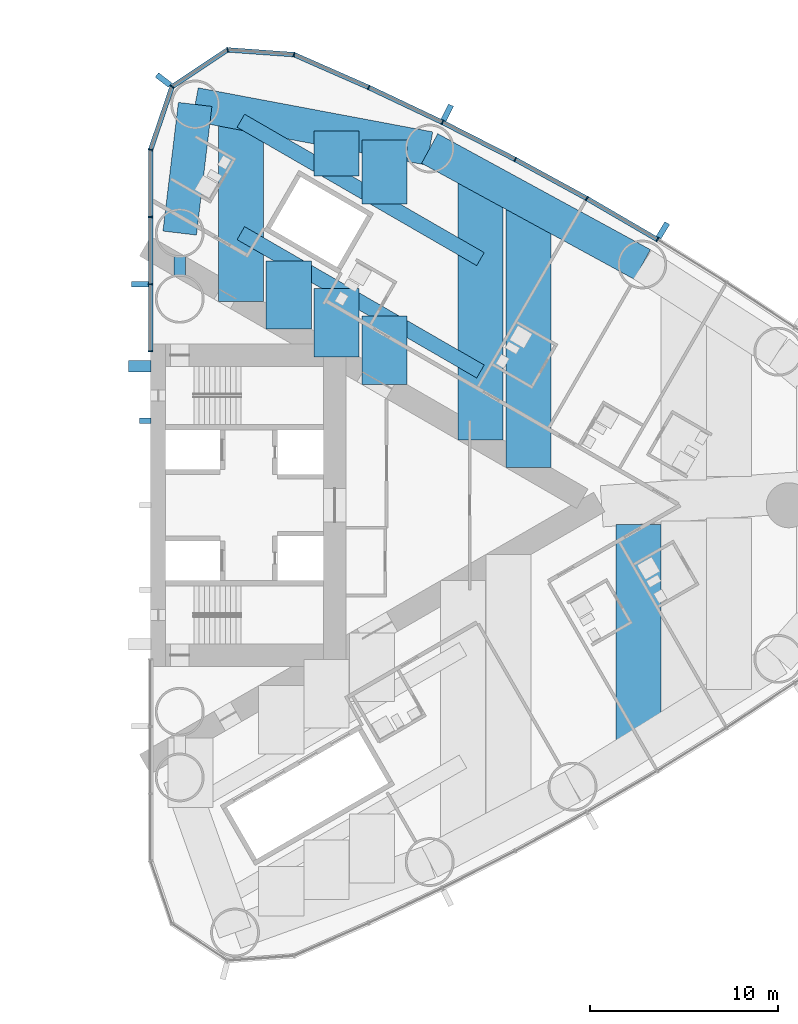
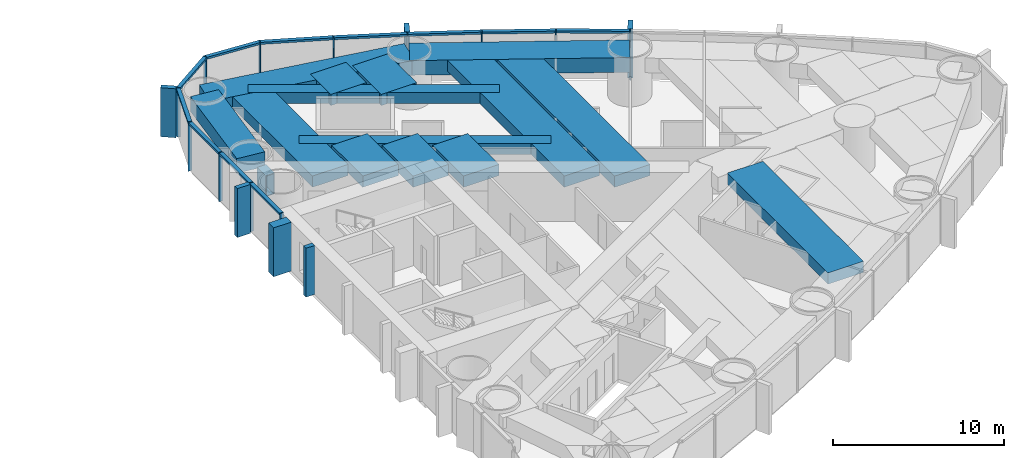
# One storey, part 7 of 18: 29 members, 15 beams, 1 element without a shape of its own.
"""IFC4 building model written with IfcOpenShell, lengths in metres."""

from ifc_helpers import new_model, si_unit, direction, frame, origin, origin_2d, place, context, subcontext, project, spatial, rectangle, hollow_rectangle, extrude, material, material_profile, profile_set, type_object, element, aggregate, save


model = new_model("IFC4")

# Units and contexts
model_context = context("Model", 3, precision=1e-05, world=origin(), true_north=direction((0.0, 1.0)))
body_context = subcontext(model_context, "Body", "Model", "MODEL_VIEW")
ifc_project = project(units=[si_unit("LENGTHUNIT", "METRE"), si_unit("AREAUNIT", "SQUARE_METRE"), si_unit("VOLUMEUNIT", "CUBIC_METRE"), si_unit("PLANEANGLEUNIT", "RADIAN"), si_unit("MASSUNIT", "GRAM", prefix="KILO")], contexts=[model_context])

# Site, building, storey
site_placement = place(None, origin())
site = spatial("IfcSite", under=ifc_project, at=site_placement, CompositionType="ELEMENT")
building_placement = place(site_placement, origin())
building = spatial("IfcBuilding", under=site, at=building_placement, Name="Lancet Gate Hotel", CompositionType="ELEMENT")
storey_placement = place(building_placement, frame((0.0, 0.0, 101.10009765625)))
storey = spatial("IfcBuildingStorey", under=building, at=storey_placement, Name="L26", CompositionType="ELEMENT", Elevation=101.10009765625)

# Curtain wall, members
ifc_material_1 = material(Name="Aluminium curtain wall", Category="aluminium")
curtain_wall_type = type_object("IfcCurtainWallType", Name="Tower unitised curtain wall", PredefinedType="USERDEFINED", material=ifc_material_1)
curtain_wall_placement = place(storey_placement, origin())
curtain_wall = element("IfcCurtainWall", 1, at=curtain_wall_placement, inside=storey, type_object=curtain_wall_type, Name="T2 L26 curtain wall 1", ObjectType="UNITISED CURTAIN WALL", PredefinedType="USERDEFINED")
ifc_material_2 = material(Name="Aluminium mullion", Category="aluminium")
ifc_material_profile_1 = material_profile(ifc_material_2, rectangle(XDim=0.06494140625, YDim=0.25, at=origin_2d()), Name="MULLION 65x250")
ifc_profile_set_1 = profile_set([ifc_material_profile_1], Name="Aluminium mullion")
member_type_1 = type_object("IfcMemberType", Name="Aluminium mullion 65x250", PredefinedType="MULLION", material=ifc_profile_set_1)
member_1_placement = place(storey_placement, frame((54.496337890625, 14.1552734375, 0.0), z_axis=(0.0, 0.0, 1.0), x_axis=(-0.856728030701, 0.515768437781, 0.0)))
member_1 = element("IfcMember", 2, at=member_1_placement, type_object=member_type_1, Name="T2 L26 curtain wall 1 mullion 23", PredefinedType="MULLION", context=body_context, shape_type="SweptSolid", body=[
    extrude(rectangle(XDim=0.06494140625, YDim=0.25, at=origin_2d()), origin(), (0.0, 0.0, 1.0), 3.5),
])
member_2_placement = place(storey_placement, frame((50.740478515625, 16.344482421875, 0.0), z_axis=(0.0, 0.0, 1.0), x_axis=(-0.871028838445, 0.491231882716, 0.0)))
member_2 = element("IfcMember", 3, at=member_2_placement, type_object=member_type_1, Name="T2 L26 curtain wall 1 mullion 24", PredefinedType="MULLION", context=body_context, shape_type="SweptSolid", body=[
    extrude(rectangle(XDim=0.06494140625, YDim=0.25, at=origin_2d()), origin(), (0.0, 0.0, 1.0), 3.5),
])
member_3_placement = place(storey_placement, frame((46.923828125, 18.426025390625, 0.0), z_axis=(0.0, 0.0, 1.0), x_axis=(-0.884627112962, 0.466299121822, 0.0)))
member_3 = element("IfcMember", 4, at=member_3_placement, type_object=member_type_1, Name="T2 L26 curtain wall 1 mullion 25", PredefinedType="MULLION", context=body_context, shape_type="SweptSolid", body=[
    extrude(rectangle(XDim=0.06494140625, YDim=0.25, at=origin_2d()), origin(), (0.0, 0.0, 1.0), 3.5),
])
member_4_placement = place(storey_placement, frame((43.0498046875, 20.398193359375, 0.0), z_axis=(0.0, 0.0, 1.0), x_axis=(-0.897511886496, 0.440990264743, 0.0)))
member_4 = element("IfcMember", 5, at=member_4_placement, type_object=member_type_1, Name="T2 L26 curtain wall 1 mullion 26", PredefinedType="MULLION", context=body_context, shape_type="SweptSolid", body=[
    extrude(rectangle(XDim=0.06494140625, YDim=0.25, at=origin_2d()), origin(), (0.0, 0.0, 1.0), 3.5),
])
member_5_placement = place(storey_placement, frame((39.12109375, 22.259765625, 0.0), z_axis=(0.0, 0.0, 1.0), x_axis=(-0.909672766767, 0.415325724465, 0.0)))
member_5 = element("IfcMember", 6, at=member_5_placement, type_object=member_type_1, Name="T2 L26 curtain wall 1 mullion 27", PredefinedType="MULLION", context=body_context, shape_type="SweptSolid", body=[
    extrude(rectangle(XDim=0.06494140625, YDim=0.25, at=origin_2d()), origin(), (0.0, 0.0, 1.0), 3.5),
])
member_6_placement = place(storey_placement, frame((35.141357421875, 24.009033203125, 0.0), z_axis=(0.0, 0.0, 1.0), x_axis=(-0.966317378791, 0.257353304711, 0.0)))
member_6 = element("IfcMember", 7, at=member_6_placement, type_object=member_type_1, Name="T2 L26 curtain wall 1 mullion 28", PredefinedType="MULLION", context=body_context, shape_type="SweptSolid", body=[
    extrude(rectangle(XDim=0.06494140625, YDim=0.25, at=origin_2d()), origin(), (0.0, 0.0, 1.0), 3.5),
])
member_7_placement = place(storey_placement, frame((31.60205078125, 24.26220703125, 0.0), z_axis=(0.0, 0.0, 1.0), x_axis=(-0.967157174963, -0.254179068604, 0.0)))
member_7 = element("IfcMember", 8, at=member_7_placement, type_object=member_type_1, Name="T2 L26 curtain wall 1 mullion 29", PredefinedType="MULLION", context=body_context, shape_type="SweptSolid", body=[
    extrude(rectangle(XDim=0.06494140625, YDim=0.25, at=origin_2d()), origin(), (0.0, 0.0, 1.0), 3.5),
])
member_8_placement = place(storey_placement, frame((28.64453125, 22.301513671875, 0.0), z_axis=(0.0, 0.0, 1.0), x_axis=(-0.610663954798, -0.79188984986, 0.0)))
member_8 = element("IfcMember", 9, at=member_8_placement, type_object=member_type_1, Name="T2 L26 curtain wall 1 mullion 30", PredefinedType="MULLION", context=body_context, shape_type="SweptSolid", body=[
    extrude(rectangle(XDim=0.06494140625, YDim=0.25, at=origin_2d()), origin(), (0.0, 0.0, 1.0), 3.5),
])
member_9_placement = place(storey_placement, frame((27.5, 18.94287109375, 0.0), z_axis=(0.0, 0.0, 1.0), x_axis=(-0.162738742557, -0.986669195663, 0.0)))
member_9 = element("IfcMember", 10, at=member_9_placement, type_object=member_type_1, Name="T2 L26 curtain wall 1 mullion 31", PredefinedType="MULLION", context=body_context, shape_type="SweptSolid", body=[
    extrude(rectangle(XDim=0.06494140625, YDim=0.25, at=origin_2d()), origin(), (0.0, 0.0, 1.0), 3.5),
])
member_10_placement = place(storey_placement, frame((27.5, 15.362060546875, 0.0), z_axis=(0.0, 0.0, 1.0), x_axis=(0.0, -1.0, 0.0)))
member_10 = element("IfcMember", 11, at=member_10_placement, type_object=member_type_1, Name="T2 L26 curtain wall 1 mullion 32", PredefinedType="MULLION", context=body_context, shape_type="SweptSolid", body=[
    extrude(rectangle(XDim=0.06494140625, YDim=0.25, at=origin_2d()), origin(), (0.0, 0.0, 1.0), 3.5),
])
member_11_placement = place(storey_placement, frame((27.5, 11.781005859375, 0.0), z_axis=(0.0, 0.0, 1.0), x_axis=(0.0, -1.0, 0.0)))
member_11 = element("IfcMember", 12, at=member_11_placement, type_object=member_type_1, Name="T2 L26 curtain wall 1 mullion 33", PredefinedType="MULLION", context=body_context, shape_type="SweptSolid", body=[
    extrude(rectangle(XDim=0.06494140625, YDim=0.25, at=origin_2d()), origin(), (0.0, 0.0, 1.0), 3.5),
])
member_12_placement = place(storey_placement, frame((27.5, 8.199951171875, 0.0), z_axis=(0.0, 0.0, 1.0), x_axis=(0.0, -1.0, 0.0)))
member_12 = element("IfcMember", 13, at=member_12_placement, type_object=member_type_1, Name="T2 L26 curtain wall 1 mullion 34", PredefinedType="MULLION", context=body_context, shape_type="SweptSolid", body=[
    extrude(rectangle(XDim=0.06494140625, YDim=0.25, at=origin_2d()), origin(), (0.0, 0.0, 1.0), 3.5),
])
ifc_material_3 = material(Name="Aluminium transom", Category="aluminium")
ifc_material_profile_2 = material_profile(ifc_material_3, rectangle(XDim=0.25, YDim=0.14990234375, at=origin_2d()), Name="TRANSOM 250x150")
ifc_profile_set_2 = profile_set([ifc_material_profile_2], Name="Aluminium transom")
member_type_2 = type_object("IfcMemberType", Name="Aluminium transom 250x150", PredefinedType="USERDEFINED", material=ifc_profile_set_2)
member_13_placement = place(storey_placement, frame((54.46826171875, 14.171630859375, 3.4248046875), z_axis=(-0.863973212152, 0.503537772847, 0.0), x_axis=(-0.503537772847, -0.863973212152, 0.0)))
member_13 = element("IfcMember", 14, at=member_13_placement, type_object=member_type_2, Name="T2 L26 curtain wall 1 transom 23", ObjectType="TRANSOM", PredefinedType="USERDEFINED", context=body_context, shape_type="SweptSolid", body=[
    extrude(rectangle(XDim=0.25, YDim=0.14990234375, at=origin_2d()), origin(), (0.0, 0.0, 1.0), 4.2822265625),
])
member_14_placement = place(storey_placement, frame((50.7119140625, 16.35986328125, 3.4248046875), z_axis=(-0.877906466435, 0.478832158685, 0.0), x_axis=(-0.478832158685, -0.877906466435, 0.0)))
member_14 = element("IfcMember", 15, at=member_14_placement, type_object=member_type_2, Name="T2 L26 curtain wall 1 transom 24", ObjectType="TRANSOM", PredefinedType="USERDEFINED", context=body_context, shape_type="SweptSolid", body=[
    extrude(rectangle(XDim=0.25, YDim=0.14990234375, at=origin_2d()), origin(), (0.0, 0.0, 1.0), 4.282470703125),
])
member_15_placement = place(storey_placement, frame((46.89501953125, 18.440673828125, 3.4248046875), z_axis=(-0.891165630033, 0.453678101574, 0.0), x_axis=(-0.453678101574, -0.891165630033, 0.0)))
member_15 = element("IfcMember", 16, at=member_15_placement, type_object=member_type_2, Name="T2 L26 curtain wall 1 transom 25", ObjectType="TRANSOM", PredefinedType="USERDEFINED", context=body_context, shape_type="SweptSolid", body=[
    extrude(rectangle(XDim=0.25, YDim=0.14990234375, at=origin_2d()), origin(), (0.0, 0.0, 1.0), 4.282470703125),
])
member_16_placement = place(storey_placement, frame((43.0205078125, 20.412109375, 3.4248046875), z_axis=(-0.903679787814, 0.428208875546, 0.0), x_axis=(-0.428208875546, -0.903679787814, 0.0)))
member_16 = element("IfcMember", 17, at=member_16_placement, type_object=member_type_2, Name="T2 L26 curtain wall 1 transom 26", ObjectType="TRANSOM", PredefinedType="USERDEFINED", context=body_context, shape_type="SweptSolid", body=[
    extrude(rectangle(XDim=0.25, YDim=0.14990234375, at=origin_2d()), origin(), (0.0, 0.0, 1.0), 4.282470703125),
])
member_17_placement = place(storey_placement, frame((39.09130859375, 22.27294921875, 3.4248046875), z_axis=(-0.915484772266, 0.402352621155, 0.0), x_axis=(-0.402352621155, -0.915484772266, 0.0)))
member_17 = element("IfcMember", 18, at=member_17_placement, type_object=member_type_2, Name="T2 L26 curtain wall 1 transom 27", ObjectType="TRANSOM", PredefinedType="USERDEFINED", context=body_context, shape_type="SweptSolid", body=[
    extrude(rectangle(XDim=0.25, YDim=0.14990234375, at=origin_2d()), origin(), (0.0, 0.0, 1.0), 4.281982421875),
])
member_18_placement = place(storey_placement, frame((35.10888671875, 24.01123046875, 3.4248046875), z_axis=(-0.997446232115, 0.071421383636, 0.0), x_axis=(-0.071421383636, -0.997446232115, 0.0)))
member_18 = element("IfcMember", 19, at=member_18_placement, type_object=member_type_2, Name="T2 L26 curtain wall 1 transom 28", ObjectType="TRANSOM", PredefinedType="USERDEFINED", context=body_context, shape_type="SweptSolid", body=[
    extrude(rectangle(XDim=0.25, YDim=0.14990234375, at=origin_2d()), origin(), (0.0, 0.0, 1.0), 3.483154296875),
])
member_19_placement = place(storey_placement, frame((31.574951171875, 24.244384765625, 3.4248046875), z_axis=(-0.833470854141, -0.552563421968, 0.0), x_axis=(0.552563421968, -0.833470854141, 0.0)))
member_19 = element("IfcMember", 20, at=member_19_placement, type_object=member_type_2, Name="T2 L26 curtain wall 1 transom 29", ObjectType="TRANSOM", PredefinedType="USERDEFINED", context=body_context, shape_type="SweptSolid", body=[
    extrude(rectangle(XDim=0.25, YDim=0.14990234375, at=origin_2d()), origin(), (0.0, 0.0, 1.0), 3.4833984375),
])
member_20_placement = place(storey_placement, frame((28.634033203125, 22.270751953125, 3.4248046875), z_axis=(-0.322549769135, -0.946552505903, 0.0), x_axis=(0.946552505903, -0.322549769135, 0.0)))
member_20 = element("IfcMember", 21, at=member_20_placement, type_object=member_type_2, Name="T2 L26 curtain wall 1 transom 30", ObjectType="TRANSOM", PredefinedType="USERDEFINED", context=body_context, shape_type="SweptSolid", body=[
    extrude(rectangle(XDim=0.25, YDim=0.14990234375, at=origin_2d()), origin(), (0.0, 0.0, 1.0), 3.4833984375),
])
member_21_placement = place(storey_placement, frame((27.5, 18.910400390625, 3.4248046875), z_axis=(0.0, -1.0, 0.0), x_axis=(1.0, 0.0, 0.0)))
member_21 = element("IfcMember", 22, at=member_21_placement, type_object=member_type_2, Name="T2 L26 curtain wall 1 transom 31", ObjectType="TRANSOM", PredefinedType="USERDEFINED", context=body_context, shape_type="SweptSolid", body=[
    extrude(rectangle(XDim=0.25, YDim=0.14990234375, at=origin_2d()), origin(), (0.0, 0.0, 1.0), 3.515869140625),
])
member_22_placement = place(storey_placement, frame((27.5, 15.329345703125, 3.4248046875), z_axis=(0.0, -1.0, 0.0), x_axis=(1.0, 0.0, 0.0)))
member_22 = element("IfcMember", 23, at=member_22_placement, type_object=member_type_2, Name="T2 L26 curtain wall 1 transom 32", ObjectType="TRANSOM", PredefinedType="USERDEFINED", context=body_context, shape_type="SweptSolid", body=[
    extrude(rectangle(XDim=0.25, YDim=0.14990234375, at=origin_2d()), origin(), (0.0, 0.0, 1.0), 3.515869140625),
])
member_23_placement = place(storey_placement, frame((27.5, 11.74853515625, 3.4248046875), z_axis=(0.0, -1.0, 0.0), x_axis=(1.0, 0.0, 0.0)))
member_23 = element("IfcMember", 24, at=member_23_placement, type_object=member_type_2, Name="T2 L26 curtain wall 1 transom 33", ObjectType="TRANSOM", PredefinedType="USERDEFINED", context=body_context, shape_type="SweptSolid", body=[
    extrude(rectangle(XDim=0.25, YDim=0.14990234375, at=origin_2d()), origin(), (0.0, 0.0, 1.0), 3.51611328125),
])

# Beams
ifc_material_4 = material(Name="Concrete C50/60", Category="concrete")
ifc_material_profile_3 = material_profile(ifc_material_4, rectangle(XDim=1.800048828125, YDim=1.050048828125, at=origin_2d()), Name="RC 1800x1050")
ifc_profile_set_3 = profile_set([ifc_material_profile_3], Name="Concrete C50/60")
beam_type_1 = type_object("IfcBeamType", Name="Edge beam RC 1800x1050", PredefinedType="SPANDREL", material=ifc_profile_set_3)
beam_1_placement = place(storey_placement, frame((53.697021484375, 12.827392578125, 2.724853515625), z_axis=(-0.87792015078, 0.478807068509, 0.0), x_axis=(-0.478807068509, -0.87792015078, 0.0)))
element("IfcBeam", 25, at=beam_1_placement, inside=storey, type_object=beam_type_1, Name="T2 edge beam EB1 L26", PredefinedType="SPANDREL", context=body_context, shape_type="SweptSolid", body=[
    extrude(rectangle(XDim=1.800048828125, YDim=1.050048828125, at=origin_2d()), origin(), (0.0, 0.0, 1.0), 12.906494140625),
])
beam_2_placement = place(storey_placement, frame((42.3662109375, 19.007080078125, 2.724853515625), z_axis=(-0.982797318081, 0.184687388776, 0.0), x_axis=(-0.184687388776, -0.982797318081, 0.0)))
element("IfcBeam", 26, at=beam_2_placement, inside=storey, type_object=beam_type_1, Name="T2 edge beam EB1 L26", PredefinedType="SPANDREL", context=body_context, shape_type="SweptSolid", body=[
    extrude(rectangle(XDim=1.800048828125, YDim=1.050048828125, at=origin_2d()), origin(), (0.0, 0.0, 1.0), 12.712890625),
])
beam_3_placement = place(storey_placement, frame((29.050048828125, 14.5, 2.724853515625), z_axis=(0.119062951196, 0.99288670736, 0.0), x_axis=(-0.99288670736, 0.119062951196, 0.0)))
element("IfcBeam", 27, at=beam_3_placement, inside=storey, type_object=beam_type_1, Name="T2 edge beam EB1 L26", PredefinedType="SPANDREL", context=body_context, shape_type="SweptSolid", body=[
    extrude(rectangle(XDim=1.800048828125, YDim=1.050048828125, at=origin_2d()), origin(), (0.0, 0.0, 1.0), 6.904052734375),
])

# Member
ifc_material_5 = material(Name="Concrete C60/75", Category="concrete")
ifc_material_profile_4 = material_profile(ifc_material_5, rectangle(XDim=0.60009765625, YDim=1.199951171875, at=origin_2d()), Name="FIN 600x1200")
ifc_profile_set_4 = profile_set([ifc_material_profile_4], Name="Concrete C60/75")
member_type_3 = type_object("IfcMemberType", Name="Exposed concrete buttress pilaster 600x1200", PredefinedType="USERDEFINED", material=ifc_profile_set_4)
member_24_placement = place(storey_placement, frame((26.909912109375, 7.39990234375, 0.0), z_axis=(0.0, 0.0, 1.0), x_axis=(0.0, 1.0, 0.0)))
element("IfcMember", 28, at=member_24_placement, inside=storey, type_object=member_type_3, Name="T2 buttress pilaster N L26", ObjectType="FIN", PredefinedType="USERDEFINED", context=body_context, shape_type="SweptSolid", body=[
    extrude(rectangle(XDim=0.60009765625, YDim=1.199951171875, at=origin_2d()), origin(), (0.0, 0.0, 1.0), 3.5),
])

ifc_material_6 = material(Name="Precast concrete C50/60", Category="concrete")
ifc_material_profile_5 = material_profile(ifc_material_6, rectangle(XDim=0.300048828125, YDim=0.89990234375, at=origin_2d()), Name="FIN 300x900")
ifc_profile_set_5 = profile_set([ifc_material_profile_5], Name="Precast concrete C50/60")
member_type_4 = type_object("IfcMemberType", Name="Exposed concrete fin 300x900", PredefinedType="USERDEFINED", material=ifc_profile_set_5)
member_25_placement = place(storey_placement, frame((54.79296875, 14.64794921875, 0.0), z_axis=(0.0, 0.0, 1.0), x_axis=(-0.856728030701, 0.515768437781, 0.0)))
member_25 = element("IfcMember", 29, at=member_25_placement, type_object=member_type_4, Name="T2 L26 curtain wall 1 fin 23", ObjectType="FIN", PredefinedType="USERDEFINED", context=body_context, shape_type="SweptSolid", body=[
    extrude(rectangle(XDim=0.300048828125, YDim=0.89990234375, at=origin_2d()), origin(), (0.0, 0.0, 1.0), 3.5),
])

member_26_placement = place(storey_placement, frame((43.30322265625, 20.914306640625, 0.0), z_axis=(0.0, 0.0, 1.0), x_axis=(-0.897511886496, 0.440990264743, 0.0)))
member_26 = element("IfcMember", 30, at=member_26_placement, type_object=member_type_4, Name="T2 L26 curtain wall 1 fin 26", ObjectType="FIN", PredefinedType="USERDEFINED", context=body_context, shape_type="SweptSolid", body=[
    extrude(rectangle(XDim=0.300048828125, YDim=0.89990234375, at=origin_2d()), origin(), (0.0, 0.0, 1.0), 3.5),
])

member_27_placement = place(storey_placement, frame((28.189208984375, 22.65283203125, 0.0), z_axis=(0.0, 0.0, 1.0), x_axis=(-0.610663954798, -0.79188984986, 0.0)))
member_27 = element("IfcMember", 31, at=member_27_placement, type_object=member_type_4, Name="T2 L26 curtain wall 1 fin 30", ObjectType="FIN", PredefinedType="USERDEFINED", context=body_context, shape_type="SweptSolid", body=[
    extrude(rectangle(XDim=0.300048828125, YDim=0.89990234375, at=origin_2d()), origin(), (0.0, 0.0, 1.0), 3.5),
])

member_28_placement = place(storey_placement, frame((26.925048828125, 11.781005859375, 0.0), z_axis=(0.0, 0.0, 1.0), x_axis=(0.0, -1.0, 0.0)))
member_28 = element("IfcMember", 32, at=member_28_placement, type_object=member_type_4, Name="T2 L26 curtain wall 1 fin 33", ObjectType="FIN", PredefinedType="USERDEFINED", context=body_context, shape_type="SweptSolid", body=[
    extrude(rectangle(XDim=0.300048828125, YDim=0.89990234375, at=origin_2d()), origin(), (0.0, 0.0, 1.0), 3.5),
])

aggregate(curtain_wall, [member_1, member_25, member_2, member_3, member_4, member_26, member_5, member_6, member_7, member_8, member_27, member_9, member_10, member_11, member_28, member_12, member_13, member_14, member_15, member_16, member_17, member_18, member_19, member_20, member_21, member_22, member_23])

ifc_material_7 = material(Name="Concrete C60/75", Category="concrete")
ifc_material_profile_6 = material_profile(ifc_material_7, rectangle(XDim=0.300048828125, YDim=0.60009765625, at=origin_2d()), Name="FIN 300x600")
ifc_profile_set_6 = profile_set([ifc_material_profile_6], Name="Concrete C60/75")
member_type_5 = type_object("IfcMemberType", Name="Exposed concrete rib 300x600", PredefinedType="USERDEFINED", material=ifc_profile_set_6)
member_29_placement = place(storey_placement, frame((27.2099609375, 4.5, 0.0), z_axis=(0.0, 0.0, 1.0), x_axis=(0.0, 1.0, 0.0)))
element("IfcMember", 33, at=member_29_placement, inside=storey, type_object=member_type_5, Name="T2 core rib 3 L26", ObjectType="FIN", PredefinedType="USERDEFINED", context=body_context, shape_type="SweptSolid", body=[
    extrude(rectangle(XDim=0.300048828125, YDim=0.60009765625, at=origin_2d()), origin(), (0.0, 0.0, 1.0), 3.5),
])

# Beams
ifc_material_8 = material(Name="Concrete C50/60", Category="concrete")
ifc_material_profile_7 = material_profile(ifc_material_8, rectangle(XDim=2.39990234375, YDim=0.800048828125, at=origin_2d()), Name="RC 2400x800")
ifc_profile_set_7 = profile_set([ifc_material_profile_7], Name="Concrete C50/60")
beam_type_2 = type_object("IfcBeamType", Name="Floor beam RC 2400x800", PredefinedType="BEAM", material=ifc_profile_set_7)
beam_4_placement = place(storey_placement, frame((32.306396484375, 10.851806640625, 2.849853515625), z_axis=(0.0, 1.0, 0.0), x_axis=(-1.0, 0.0, 0.0)))
element("IfcBeam", 34, at=beam_4_placement, inside=storey, type_object=beam_type_2, Name="T2 floor beam F02N L26", PredefinedType="BEAM", context=body_context, shape_type="SweptSolid", body=[
    extrude(rectangle(XDim=2.39990234375, YDim=0.800048828125, at=origin_2d()), origin(), (0.0, 0.0, 1.0), 10.0458984375),
])
beam_5_placement = place(storey_placement, frame((45.072265625, 3.4814453125, 2.849853515625), z_axis=(0.0, 1.0, 0.0), x_axis=(-1.0, 0.0, 0.0)))
element("IfcBeam", 35, at=beam_5_placement, inside=storey, type_object=beam_type_2, Name="T2 floor beam F10N L26", PredefinedType="BEAM", context=body_context, shape_type="SweptSolid", body=[
    extrude(rectangle(XDim=2.39990234375, YDim=0.800048828125, at=origin_2d()), origin(), (0.0, 0.0, 1.0), 14.0498046875),
])
beam_6_placement = place(storey_placement, frame((47.62548828125, 2.00732421875, 2.849853515625), z_axis=(0.0, 1.0, 0.0), x_axis=(-1.0, 0.0, 0.0)))
element("IfcBeam", 36, at=beam_6_placement, inside=storey, type_object=beam_type_2, Name="T2 floor beam F12N L26", PredefinedType="BEAM", context=body_context, shape_type="SweptSolid", body=[
    extrude(rectangle(XDim=2.39990234375, YDim=0.800048828125, at=origin_2d()), origin(), (0.0, 0.0, 1.0), 14.13134765625),
])
beam_7_placement = place(storey_placement, frame((53.502197265625, -12.804443359375, 2.849853515625), z_axis=(0.0, 1.0, 0.0), x_axis=(-1.0, 0.0, 0.0)))
element("IfcBeam", 37, at=beam_7_placement, inside=storey, type_object=beam_type_2, Name="T2 floor beam F13S L26", PredefinedType="BEAM", context=body_context, shape_type="SweptSolid", body=[
    extrude(rectangle(XDim=2.39990234375, YDim=0.800048828125, at=origin_2d()), origin(), (0.0, 0.0, 1.0), 11.78564453125),
])
beam_8_placement = place(storey_placement, frame((34.859619140625, 9.377685546875, 2.849853515625), z_axis=(0.0, 1.0, 0.0), x_axis=(-1.0, 0.0, 0.0)))
element("IfcBeam", 38, at=beam_8_placement, inside=storey, type_object=beam_type_2, Name="T2 floor beam F04NA L26", PredefinedType="BEAM", context=body_context, shape_type="SweptSolid", body=[
    extrude(rectangle(XDim=2.39990234375, YDim=0.800048828125, at=origin_2d()), origin(), (0.0, 0.0, 1.0), 3.645751953125),
])
beam_9_placement = place(storey_placement, frame((37.412841796875, 7.903564453125, 2.849853515625), z_axis=(0.0, 1.0, 0.0), x_axis=(-1.0, 0.0, 0.0)))
element("IfcBeam", 39, at=beam_9_placement, inside=storey, type_object=beam_type_2, Name="T2 floor beam F06NA L26", PredefinedType="BEAM", context=body_context, shape_type="SweptSolid", body=[
    extrude(rectangle(XDim=2.39990234375, YDim=0.800048828125, at=origin_2d()), origin(), (0.0, 0.0, 1.0), 3.6455078125),
])
beam_10_placement = place(storey_placement, frame((37.412841796875, 17.537109375, 2.849853515625), z_axis=(0.0, 1.0, 0.0), x_axis=(-1.0, 0.0, 0.0)))
element("IfcBeam", 40, at=beam_10_placement, inside=storey, type_object=beam_type_2, Name="T2 floor beam F06NB L26", PredefinedType="BEAM", context=body_context, shape_type="SweptSolid", body=[
    extrude(rectangle(XDim=2.39990234375, YDim=0.800048828125, at=origin_2d()), origin(), (0.0, 0.0, 1.0), 2.40087890625),
])
beam_11_placement = place(storey_placement, frame((39.9658203125, 6.429443359375, 2.849853515625), z_axis=(0.0, 1.0, 0.0), x_axis=(-1.0, 0.0, 0.0)))
element("IfcBeam", 41, at=beam_11_placement, inside=storey, type_object=beam_type_2, Name="T2 floor beam F08NA L26", PredefinedType="BEAM", context=body_context, shape_type="SweptSolid", body=[
    extrude(rectangle(XDim=2.39990234375, YDim=0.800048828125, at=origin_2d()), origin(), (0.0, 0.0, 1.0), 3.64501953125),
])
beam_12_placement = place(storey_placement, frame((39.9658203125, 16.062744140625, 2.849853515625), z_axis=(0.0, 1.0, 0.0), x_axis=(-1.0, 0.0, 0.0)))
element("IfcBeam", 42, at=beam_12_placement, inside=storey, type_object=beam_type_2, Name="T2 floor beam F08NB L26", PredefinedType="BEAM", context=body_context, shape_type="SweptSolid", body=[
    extrude(rectangle(XDim=2.39990234375, YDim=0.800048828125, at=origin_2d()), origin(), (0.0, 0.0, 1.0), 3.3955078125),
])
ifc_material_9 = material(Name="Steel S460QL", Category="steel")
ifc_material_profile_8 = material_profile(ifc_material_9, hollow_rectangle(XDim=0.60009765625, YDim=1.5, WallThickness=0.050048828125, at=origin_2d()), Name="BOX 1500x600x50")
ifc_profile_set_8 = profile_set([ifc_material_profile_8], Name="Steel S460QL")
beam_type_3 = type_object("IfcBeamType", Name="Inner-face link beam BOX 1500x600x50", PredefinedType="BEAM", material=ifc_profile_set_8)
beam_13_placement = place(storey_placement, frame((29.050048828125, 12.25, 2.5), z_axis=(0.0, 1.0, 0.0), x_axis=(-1.0, 0.0, 0.0)))
element("IfcBeam", 43, at=beam_13_placement, inside=storey, type_object=beam_type_3, Name="T2 inner-face link beam LK1 L26", PredefinedType="BEAM", context=body_context, shape_type="SweptSolid", body=[
    extrude(hollow_rectangle(XDim=0.60009765625, YDim=1.5, WallThickness=0.050048828125, at=origin_2d()), origin(), (0.0, 0.0, 1.0), 1.0),
])
ifc_material_10 = material(Name="Steel S460QL", Category="steel")
ifc_material_profile_9 = material_profile(ifc_material_10, hollow_rectangle(XDim=0.800048828125, YDim=0.800048828125, WallThickness=0.080078125, at=origin_2d()), Name="BOX 800x800x80")
ifc_profile_set_9 = profile_set([ifc_material_profile_9], Name="Steel S460QL")
beam_type_4 = type_object("IfcBeamType", Name="Trimmer beam BOX 800x800x80", PredefinedType="BEAM", material=ifc_profile_set_9)
beam_14_placement = place(storey_placement, frame((32.306396484375, 20.48583984375, 2.849853515625), z_axis=(0.86598286195, -0.500073677381, 0.0), x_axis=(0.500073677381, 0.86598286195, 0.0)))
element("IfcBeam", 44, at=beam_14_placement, inside=storey, type_object=beam_type_4, Name="T2 trimmer beam TR03N L26", PredefinedType="BEAM", context=body_context, shape_type="SweptSolid", body=[
    extrude(hollow_rectangle(XDim=0.800048828125, YDim=0.800048828125, WallThickness=0.080078125, at=origin_2d()), origin(), (0.0, 0.0, 1.0), 14.741455078125),
])
beam_15_placement = place(storey_placement, frame((32.306396484375, 14.497802734375, 2.849853515625), z_axis=(0.865975689888, -0.500086097111, 0.0), x_axis=(0.500086097111, 0.865975689888, 0.0)))
element("IfcBeam", 45, at=beam_15_placement, inside=storey, type_object=beam_type_4, Name="T2 trimmer beam TR04N L26", PredefinedType="BEAM", context=body_context, shape_type="SweptSolid", body=[
    extrude(hollow_rectangle(XDim=0.800048828125, YDim=0.800048828125, WallThickness=0.080078125, at=origin_2d()), origin(), (0.0, 0.0, 1.0), 14.74169921875),
])

save(model, "model.ifc")
